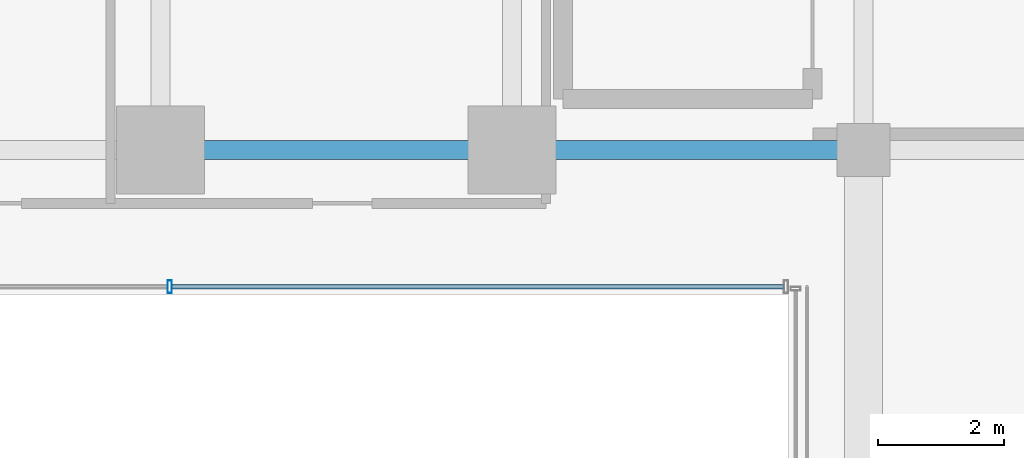
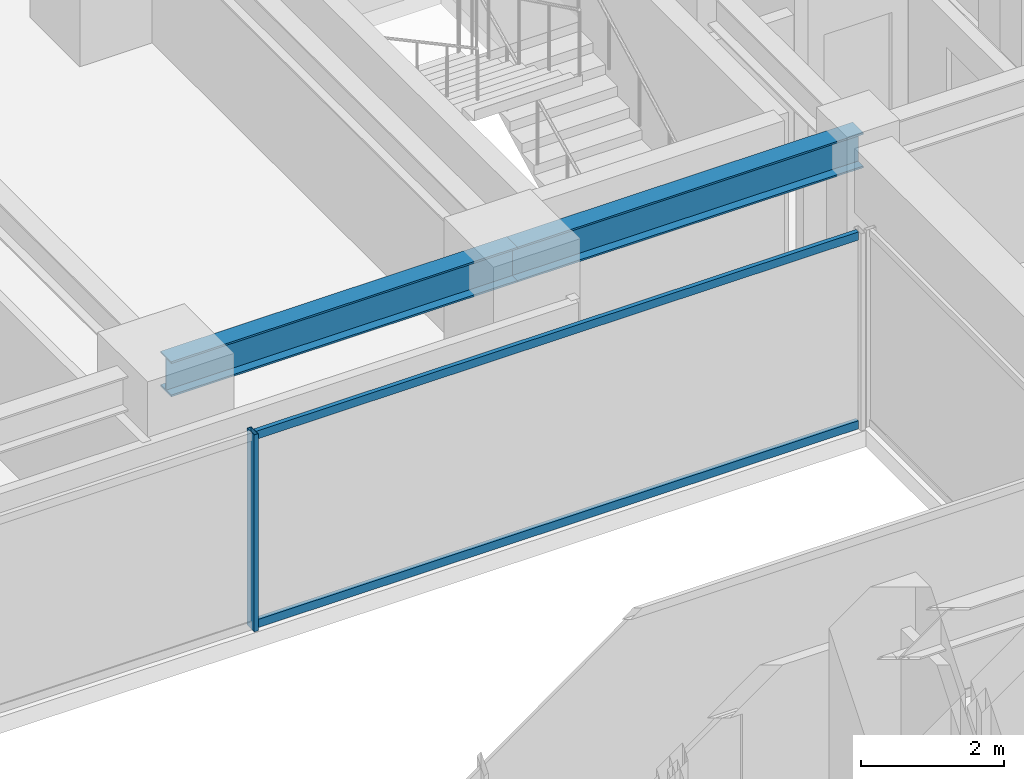
# One storey, part 23 of 43: 3 members, 2 beams, 1 element without a shape of its own.
"""IFC4 building model written with IfcOpenShell, lengths in metres."""

from ifc_helpers import new_model, si_unit, direction, frame, origin, origin_2d, place, context, subcontext, project, spatial, hollow_rectangle, i_section, extrude, source, transform, mapped, material, material_profile, profile_set, type_object, element, aggregate, save


model = new_model("IFC4")

# Units and contexts
model_context = context("Model", 3, precision=1e-05, world=origin(), true_north=direction((0.0, 1.0)))
body_context = subcontext(model_context, "Body", "Model", "MODEL_VIEW")
ifc_project = project(units=[si_unit("LENGTHUNIT", "METRE"), si_unit("AREAUNIT", "SQUARE_METRE"), si_unit("VOLUMEUNIT", "CUBIC_METRE"), si_unit("PLANEANGLEUNIT", "RADIAN"), si_unit("MASSUNIT", "GRAM", prefix="KILO")], contexts=[model_context])

# Site, building, storey
site_placement = place(None, origin())
site = spatial("IfcSite", under=ifc_project, at=site_placement, CompositionType="ELEMENT")
building_placement = place(site_placement, origin())
building = spatial("IfcBuilding", under=site, at=building_placement, Name="Nahalor Promenade Grand Hotel", CompositionType="ELEMENT")
storey_placement = place(building_placement, frame((0.0, 0.0, 57.949951171875)))
storey = spatial("IfcBuildingStorey", under=building, at=storey_placement, Name="L13", CompositionType="ELEMENT", Elevation=57.949951171875)

# Beams
ifc_material_1 = material(Name="Steel S355JR", Category="steel")
ifc_material_profile_1 = material_profile(ifc_material_1, i_section(OverallWidth=0.3, OverallDepth=0.6, WebThickness=0.0155, FlangeThickness=0.03, at=origin_2d()), Name="HEB 600")
ifc_profile_set_1 = profile_set([ifc_material_profile_1], Name="Steel S355JR")
beam_type = type_object("IfcBeamType", Name="Beam-Girder-HEB600", PredefinedType="BEAM", material=ifc_profile_set_1)
shared_shape_1 = source(origin(), body_context, "Body", "SweptSolid", [
    extrude(i_section(OverallWidth=0.3, OverallDepth=0.6, WebThickness=0.0155, FlangeThickness=0.03, at=origin_2d()), origin(), (0.0, 0.0, 1.0), 5.599853515625),
])
beam_1_placement = place(storey_placement, frame((2.800048828125, 5.39990234375, 3.070068359375), z_axis=(1.0, 0.0, 0.0), x_axis=(0.0, 1.0, 0.0)))
element("IfcBeam", 1, at=beam_1_placement, inside=storey, type_object=beam_type, Name="BM-L13-GX-2-4", PredefinedType="BEAM", context=body_context, shape_type="MappedRepresentation", body=[
    mapped(shared_shape_1, transform((0.0, 0.0, 0.0), scale=1.0)),
])
shared_shape_2 = source(origin(), body_context, "Body", "SweptSolid", [
    extrude(i_section(OverallWidth=0.3, OverallDepth=0.6, WebThickness=0.0155, FlangeThickness=0.03, at=origin_2d()), origin(), (0.0, 0.0, 1.0), 5.60009765625),
])
beam_2_placement = place(storey_placement, frame((-2.800048828125, 5.39990234375, 3.070068359375), z_axis=(1.0, 0.0, 0.0), x_axis=(0.0, 1.0, 0.0)))
element("IfcBeam", 2, at=beam_2_placement, inside=storey, type_object=beam_type, Name="BM-L13-GX-2-3", PredefinedType="BEAM", context=body_context, shape_type="MappedRepresentation", body=[
    mapped(shared_shape_2, transform((0.0, 0.0, 0.0), scale=1.0)),
])

# Curtain wall, members
ifc_material_2 = material(Name="Anodised Bronze Aluminium EN AW-6063 T6", Category="aluminium")
curtain_wall_type = type_object("IfcCurtainWallType", Name="CW3 Elliptical-Void Collar Unitised Curtain Wall", PredefinedType="USERDEFINED", material=ifc_material_2)
curtain_wall_placement = place(storey_placement, origin())
curtain_wall = element("IfcCurtainWall", 3, at=curtain_wall_placement, inside=storey, type_object=curtain_wall_type, Name="L13 Curtain Wall CW-L13-VOID-WN1", ObjectType="UNITISED_CURTAIN_WALL", PredefinedType="USERDEFINED")
ifc_material_profile_2 = material_profile(ifc_material_2, hollow_rectangle(XDim=0.07, YDim=0.14, WallThickness=0.004, at=origin_2d()), Name="CWT 70x140x4")
ifc_profile_set_2 = profile_set([ifc_material_profile_2], Name="Anodised Bronze Aluminium EN AW-6063 T6")
member_type_1 = type_object("IfcMemberType", Name="CWT3 Void Collar Transom 70x140", PredefinedType="USERDEFINED", material=ifc_profile_set_2)
shared_shape_3 = source(origin(), body_context, "Body", "SweptSolid", [
    extrude(hollow_rectangle(XDim=0.07, YDim=0.14, WallThickness=0.004, at=origin_2d()), origin(), (0.0, 0.0, 1.0), 9.748291015625),
])
member_1_placement = place(storey_placement, frame((-2.618408203125, 3.219970703125, 0.070068359375), z_axis=(1.0, 0.0, 0.0), x_axis=(0.0, 1.0, 0.0)))
member_1 = element("IfcMember", 4, at=member_1_placement, type_object=member_type_1, Name="CW-L13-VOID-WN1 Transom 2-0", ObjectType="TRANSOM", PredefinedType="USERDEFINED", context=body_context, shape_type="MappedRepresentation", body=[
    mapped(shared_shape_3, transform((0.0, 0.0, 0.0), scale=1.0)),
])
member_2_placement = place(storey_placement, frame((-2.618408203125, 3.219970703125, 3.300048828125), z_axis=(1.0, 0.0, 0.0), x_axis=(0.0, 1.0, 0.0)))
member_2 = element("IfcMember", 5, at=member_2_placement, type_object=member_type_1, Name="CW-L13-VOID-WN1 Transom 2-1", ObjectType="TRANSOM", PredefinedType="USERDEFINED", context=body_context, shape_type="MappedRepresentation", body=[
    mapped(shared_shape_3, transform((0.0, 0.0, 0.0), scale=1.0)),
])
ifc_material_profile_3 = material_profile(ifc_material_2, hollow_rectangle(XDim=0.07, YDim=0.2, WallThickness=0.005, at=origin_2d()), Name="CWM 70x200x5")
ifc_profile_set_3 = profile_set([ifc_material_profile_3], Name="Anodised Bronze Aluminium EN AW-6063 T6")
member_type_2 = type_object("IfcMemberType", Name="CWM3 Void Collar Mullion 70x200", PredefinedType="MULLION", material=ifc_profile_set_3)
shared_shape_4 = source(origin(), body_context, "Body", "SweptSolid", [
    extrude(hollow_rectangle(XDim=0.07, YDim=0.2, WallThickness=0.005, at=origin_2d()), origin(), (0.0, 0.0, 1.0), 3.3701171875),
])
member_3_placement = place(storey_placement, frame((-2.6533203125, 3.219970703125, 0.0), z_axis=(0.0, 0.0, 1.0), x_axis=(1.0, 0.0, 0.0)))
member_3 = element("IfcMember", 6, at=member_3_placement, type_object=member_type_2, Name="CW-L13-VOID-WN1 Mullion 2", PredefinedType="MULLION", context=body_context, shape_type="MappedRepresentation", body=[
    mapped(shared_shape_4, transform((0.0, 0.0, 0.0), scale=1.0)),
])
aggregate(curtain_wall, [member_3, member_1, member_2])

save(model, "model.ifc")
